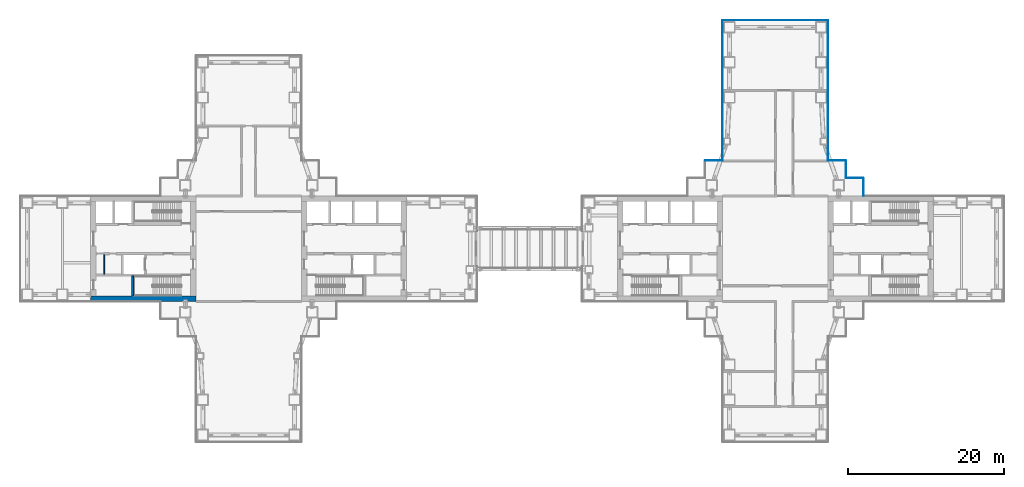
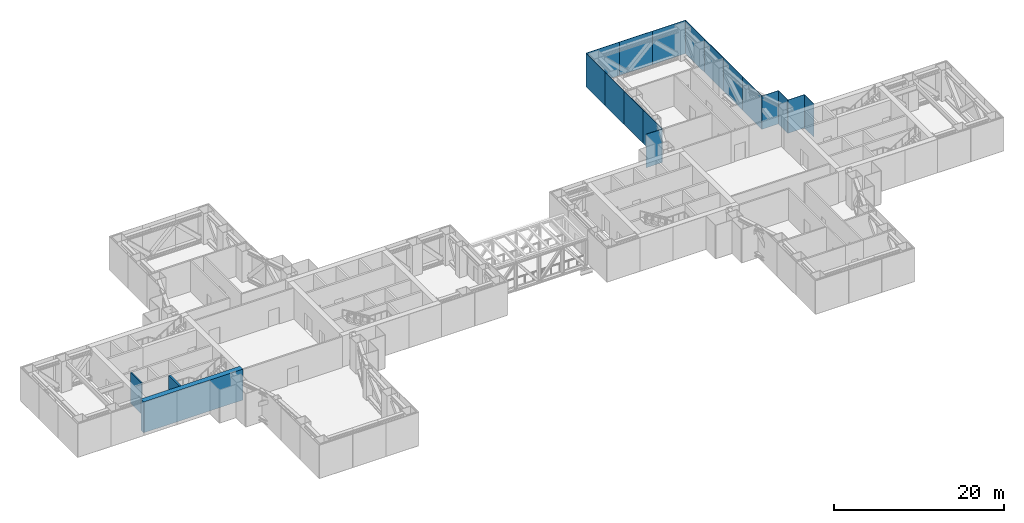
# One storey, part 10 of 23: 16 plates, 3 walls, 5 elements without a shape of their own.
"""IFC4 building model written with IfcOpenShell, lengths in metres."""

from ifc_helpers import new_model, si_unit, direction, frame, frame_2d, origin, origin_2d, place, context, subcontext, project, spatial, rectangle, extrude, material, layer, layer_set, type_object, element, aggregate, save


model = new_model("IFC4")

# Units and contexts
model_context = context("Model", 3, precision=1e-05, world=origin(), true_north=direction((0.0, 1.0)))
body_context = subcontext(model_context, "Body", "Model", "MODEL_VIEW")
ifc_project = project(units=[si_unit("LENGTHUNIT", "METRE"), si_unit("AREAUNIT", "SQUARE_METRE"), si_unit("VOLUMEUNIT", "CUBIC_METRE"), si_unit("PLANEANGLEUNIT", "RADIAN"), si_unit("MASSUNIT", "GRAM", prefix="KILO")], contexts=[model_context])

# Site, building, storey
site_placement = place(None, origin())
site = spatial("IfcSite", under=ifc_project, at=site_placement, CompositionType="ELEMENT")
building_placement = place(site_placement, origin())
building = spatial("IfcBuilding", under=site, at=building_placement, Name="Shamsa Quay Exchange Towers", CompositionType="ELEMENT")
storey_placement = place(building_placement, frame((0.0, 0.0, 77.10009765625)))
storey = spatial("IfcBuildingStorey", under=building, at=storey_placement, Name="L17", CompositionType="ELEMENT", Elevation=77.10009765625)

# Curtain wall, plates
ifc_material_1 = material(Name="Aluminium EN AW-6063 T6, black anodised", Category="aluminium")
ifc_layer_1 = layer(ifc_material_1, 0.320068359375)
ifc_layer_set_1 = layer_set([ifc_layer_1], Name="CW-7 BELT-LEVEL LOUVRE PANEL WALL")
curtain_wall_type = type_object("IfcCurtainWallType", Name="CW-7 BELT-LEVEL LOUVRE PANEL WALL", PredefinedType="NOTDEFINED", material=ifc_layer_set_1)
curtain_wall_1_placement = place(storey_placement, origin())
curtain_wall_1 = element("IfcCurtainWall", 1, at=curtain_wall_1_placement, inside=storey, type_object=curtain_wall_type, Name="CW7 T2-FLK-U+S L17", PredefinedType="NOTDEFINED")
ifc_material_2 = material(Name="Aluminium louvre panel, black anodised, with insulated fire-rated backing", Category="aluminium")
ifc_layer_2 = layer(ifc_material_2, 0.06005859375)
ifc_layer_set_2 = layer_set([ifc_layer_2], Name="CW-7 LOUVRE PANEL 60")
plate_type = type_object("IfcPlateType", Name="CW-7 LOUVRE PANEL 60", PredefinedType="CURTAIN_PANEL", material=ifc_layer_set_2)
plate_1_placement = place(storey_placement, frame((40.530029296875, 13.5517578125, -0.35009765625), z_axis=(0.0, 0.0, 1.0), x_axis=(0.0, 1.0, 0.0)))
plate_1 = element("IfcPlate", 2, at=plate_1_placement, type_object=plate_type, Name="CW7 glass panel", PredefinedType="CURTAIN_PANEL", context=body_context, shape_type="SweptSolid", body=[
    extrude(rectangle(XDim=4.4794921875, YDim=0.06005859375, at=origin_2d()), origin(), (0.0, 0.0, 1.0), 4.800048828125),
])
plate_2_placement = place(storey_placement, frame((40.530029296875, 18.038818359375, -0.35009765625), z_axis=(0.0, 0.0, 1.0), x_axis=(0.0, 1.0, 0.0)))
plate_2 = element("IfcPlate", 3, at=plate_2_placement, type_object=plate_type, Name="CW7 glass panel", PredefinedType="CURTAIN_PANEL", context=body_context, shape_type="SweptSolid", body=[
    extrude(rectangle(XDim=4.474609375, YDim=0.06005859375, at=origin_2d()), origin(), (0.0, 0.0, 1.0), 4.800048828125),
])
plate_3_placement = place(storey_placement, frame((40.530029296875, 22.523193359375, -0.35009765625), z_axis=(0.0, 0.0, 1.0), x_axis=(0.0, 1.0, 0.0)))
plate_3 = element("IfcPlate", 4, at=plate_3_placement, type_object=plate_type, Name="CW7 glass panel", PredefinedType="CURTAIN_PANEL", context=body_context, shape_type="SweptSolid", body=[
    extrude(rectangle(XDim=4.474609375, YDim=0.06005859375, at=origin_2d()), origin(), (0.0, 0.0, 1.0), 4.800048828125),
])
plate_4_placement = place(storey_placement, frame((40.530029296875, 27.01025390625, -0.35009765625), z_axis=(0.0, 0.0, 1.0), x_axis=(0.0, 1.0, 0.0)))
plate_4 = element("IfcPlate", 5, at=plate_4_placement, type_object=plate_type, Name="CW7 glass panel", PredefinedType="CURTAIN_PANEL", context=body_context, shape_type="SweptSolid", body=[
    extrude(rectangle(XDim=4.4794921875, YDim=0.06005859375, at=origin_2d()), origin(), (0.0, 0.0, 1.0), 4.800048828125),
])
aggregate(curtain_wall_1, [plate_1, plate_2, plate_3, plate_4])

curtain_wall_2_placement = place(storey_placement, origin())
curtain_wall_2 = element("IfcCurtainWall", 6, at=curtain_wall_2_placement, inside=storey, type_object=curtain_wall_type, Name="CW7 T2-END-U+ L17", PredefinedType="NOTDEFINED")
plate_5_placement = place(storey_placement, frame((38.25244140625, 29.280029296875, -0.35009765625), z_axis=(0.0, 0.0, 1.0), x_axis=(-1.0, 0.0, 0.0)))
plate_5 = element("IfcPlate", 7, at=plate_5_placement, type_object=plate_type, Name="CW7 glass panel", PredefinedType="CURTAIN_PANEL", context=body_context, shape_type="SweptSolid", body=[
    extrude(rectangle(XDim=4.4951171875, YDim=0.06005859375, at=origin_2d()), origin(), (0.0, 0.0, 1.0), 4.800048828125),
])
plate_6_placement = place(storey_placement, frame((33.75, 29.280029296875, -0.35009765625), z_axis=(0.0, 0.0, 1.0), x_axis=(-1.0, 0.0, 0.0)))
plate_6 = element("IfcPlate", 8, at=plate_6_placement, type_object=plate_type, Name="CW7 glass panel", PredefinedType="CURTAIN_PANEL", context=body_context, shape_type="SweptSolid", body=[
    extrude(rectangle(XDim=4.489990234375, YDim=0.06005859375, at=origin_2d()), origin(), (0.0, 0.0, 1.0), 4.800048828125),
])
plate_7_placement = place(storey_placement, frame((29.24755859375, 29.280029296875, -0.35009765625), z_axis=(0.0, 0.0, 1.0), x_axis=(-1.0, 0.0, 0.0)))
plate_7 = element("IfcPlate", 9, at=plate_7_placement, type_object=plate_type, Name="CW7 glass panel", PredefinedType="CURTAIN_PANEL", context=body_context, shape_type="SweptSolid", body=[
    extrude(rectangle(XDim=4.4951171875, YDim=0.06005859375, at=origin_2d()), origin(), (0.0, 0.0, 1.0), 4.800048828125),
])
aggregate(curtain_wall_2, [plate_5, plate_6, plate_7])

curtain_wall_3_placement = place(storey_placement, origin())
curtain_wall_3 = element("IfcCurtainWall", 10, at=curtain_wall_3_placement, inside=storey, type_object=curtain_wall_type, Name="CW7 T2-FLK-U+N L17", PredefinedType="NOTDEFINED")
plate_8_placement = place(storey_placement, frame((26.969970703125, 27.00244140625, -0.35009765625), z_axis=(0.0, 0.0, 1.0), x_axis=(0.0, -1.0, 0.0)))
plate_8 = element("IfcPlate", 11, at=plate_8_placement, type_object=plate_type, Name="CW7 glass panel", PredefinedType="CURTAIN_PANEL", context=body_context, shape_type="SweptSolid", body=[
    extrude(rectangle(XDim=4.4951171875, YDim=0.06005859375, at=origin_2d()), origin(), (0.0, 0.0, 1.0), 4.800048828125),
])
plate_9_placement = place(storey_placement, frame((26.969970703125, 22.5, -0.35009765625), z_axis=(0.0, 0.0, 1.0), x_axis=(0.0, -1.0, 0.0)))
plate_9 = element("IfcPlate", 12, at=plate_9_placement, type_object=plate_type, Name="CW7 glass panel", PredefinedType="CURTAIN_PANEL", context=body_context, shape_type="SweptSolid", body=[
    extrude(rectangle(XDim=4.489990234375, YDim=0.06005859375, at=origin_2d()), origin(), (0.0, 0.0, 1.0), 4.800048828125),
])
plate_10_placement = place(storey_placement, frame((26.969970703125, 18.0, -0.35009765625), z_axis=(0.0, 0.0, 1.0), x_axis=(0.0, -1.0, 0.0)))
plate_10 = element("IfcPlate", 13, at=plate_10_placement, type_object=plate_type, Name="CW7 glass panel", PredefinedType="CURTAIN_PANEL", context=body_context, shape_type="SweptSolid", body=[
    extrude(rectangle(XDim=4.489990234375, YDim=0.06005859375, at=origin_2d()), origin(), (0.0, 0.0, 1.0), 4.800048828125),
])
plate_11_placement = place(storey_placement, frame((26.969970703125, 13.49755859375, -0.35009765625), z_axis=(0.0, 0.0, 1.0), x_axis=(0.0, -1.0, 0.0)))
plate_11 = element("IfcPlate", 14, at=plate_11_placement, type_object=plate_type, Name="CW7 glass panel", PredefinedType="CURTAIN_PANEL", context=body_context, shape_type="SweptSolid", body=[
    extrude(rectangle(XDim=4.4951171875, YDim=0.06005859375, at=origin_2d()), origin(), (0.0, 0.0, 1.0), 4.800048828125),
])
aggregate(curtain_wall_3, [plate_8, plate_9, plate_10, plate_11])

curtain_wall_4_placement = place(storey_placement, origin())
curtain_wall_4 = element("IfcCurtainWall", 15, at=curtain_wall_4_placement, inside=storey, type_object=curtain_wall_type, Name="CW7 PKES L17", PredefinedType="NOTDEFINED")
plate_12_placement = place(storey_placement, frame((45.030029296875, 7.906005859375, -0.35009765625), z_axis=(0.0, 0.0, 1.0), x_axis=(0.0, 1.0, 0.0)))
plate_12 = element("IfcPlate", 16, at=plate_12_placement, type_object=plate_type, Name="CW7 glass panel", PredefinedType="CURTAIN_PANEL", context=body_context, shape_type="SweptSolid", body=[
    extrude(rectangle(XDim=2.18798828125, YDim=0.06005859375, at=origin_2d()), origin(), (0.0, 0.0, 1.0), 4.800048828125),
])
plate_13_placement = place(storey_placement, frame((43.875, 9.030029296875, -0.35009765625), z_axis=(0.0, 0.0, 1.0), x_axis=(-1.0, 0.0, 0.0)))
plate_13 = element("IfcPlate", 17, at=plate_13_placement, type_object=plate_type, Name="CW7 glass panel", PredefinedType="CURTAIN_PANEL", context=body_context, shape_type="SweptSolid", body=[
    extrude(rectangle(XDim=2.25, YDim=0.06005859375, at=origin_2d()), origin(), (0.0, 0.0, 1.0), 4.800048828125),
])
plate_14_placement = place(storey_placement, frame((42.780029296875, 10.156005859375, -0.35009765625), z_axis=(0.0, 0.0, 1.0), x_axis=(0.0, 1.0, 0.0)))
plate_14 = element("IfcPlate", 18, at=plate_14_placement, type_object=plate_type, Name="CW7 glass panel", PredefinedType="CURTAIN_PANEL", context=body_context, shape_type="SweptSolid", body=[
    extrude(rectangle(XDim=2.18798828125, YDim=0.06005859375, at=origin_2d()), origin(), (0.0, 0.0, 1.0), 4.800048828125),
])
plate_15_placement = place(storey_placement, frame((41.625, 11.280029296875, -0.35009765625), z_axis=(0.0, 0.0, 1.0), x_axis=(-1.0, 0.0, 0.0)))
plate_15 = element("IfcPlate", 19, at=plate_15_placement, type_object=plate_type, Name="CW7 glass panel", PredefinedType="CURTAIN_PANEL", context=body_context, shape_type="SweptSolid", body=[
    extrude(rectangle(XDim=2.25, YDim=0.06005859375, at=origin_2d()), origin(), (0.0, 0.0, 1.0), 4.800048828125),
])
aggregate(curtain_wall_4, [plate_12, plate_13, plate_14, plate_15])

# Curtain wall, plate
curtain_wall_5_placement = place(storey_placement, origin())
curtain_wall_5 = element("IfcCurtainWall", 20, at=curtain_wall_5_placement, inside=storey, type_object=curtain_wall_type, Name="CW7 PKEN L17", PredefinedType="NOTDEFINED")
plate_16_placement = place(storey_placement, frame((25.843994140625, 11.280029296875, -0.35009765625), z_axis=(0.0, 0.0, 1.0), x_axis=(-1.0, 0.0, 0.0)))
plate_16 = element("IfcPlate", 21, at=plate_16_placement, type_object=plate_type, Name="CW7 glass panel", PredefinedType="CURTAIN_PANEL", context=body_context, shape_type="SweptSolid", body=[
    extrude(rectangle(XDim=2.18798828125, YDim=0.06005859375, at=origin_2d()), origin(), (0.0, 0.0, 1.0), 4.800048828125),
])
aggregate(curtain_wall_5, [plate_16])

# Walls
ifc_material_3 = material(Name="Concrete C80/95", Category="concrete")
ifc_layer_3 = layer(ifc_material_3, 0.699951171875)
ifc_layer_set_3 = layer_set([ifc_layer_3], Name="CORE WALL 700 C80/95")
wall_type_1 = type_object("IfcWallType", Name="CORE WALL 700 C80/95", PredefinedType="SHEAR", material=ifc_layer_set_3)
wall_1_placement = place(storey_placement, frame((-40.5, -6.39990234375, 0.0), z_axis=(0.0, 0.0, 1.0), x_axis=(-1.0, 0.0, 0.0)))
element("IfcWall", 22, at=wall_1_placement, inside=storey, type_object=wall_type_1, Name="Core wall T1B-L17-PS", PredefinedType="SHEAR", context=body_context, shape_type="SweptSolid", body=[
    extrude(rectangle(XDim=13.5, YDim=0.699951171875, at=frame_2d((6.75, 0.0))), origin(), (0.0, 0.0, 1.0), 4.449951171875),
])
ifc_material_4 = material(Name="Gypsum board on steel studs, EI 60", Category="steel")
ifc_layer_4 = layer(ifc_material_4, 0.14990234375)
ifc_layer_set_4 = layer_set([ifc_layer_4], Name="FIRE PARTITION 150")
wall_type_2 = type_object("IfcWallType", Name="FIRE PARTITION 150", PredefinedType="PARTITIONING", material=ifc_layer_set_4)
wall_2_placement = place(storey_placement, frame((-52.25, -3.25, 0.0), z_axis=(0.0, 0.0, 1.0), x_axis=(0.0, 1.0, 0.0)))
element("IfcWall", 23, at=wall_2_placement, inside=storey, type_object=wall_type_2, Name="Partition T1B-L17-EC0", PredefinedType="PARTITIONING", context=body_context, shape_type="SweptSolid", body=[
    extrude(rectangle(XDim=2.5, YDim=0.14990234375, at=frame_2d((1.25, 0.0))), origin(), (0.0, 0.0, 1.0), 4.449951171875),
])
ifc_material_5 = material(Name="Concrete C50/60", Category="concrete")
ifc_layer_5 = layer(ifc_material_5, 0.25)
ifc_layer_set_5 = layer_set([ifc_layer_5], Name="SHAFT WALL 250 C50/60")
wall_type_3 = type_object("IfcWallType", Name="SHAFT WALL 250 C50/60", PredefinedType="SHEAR", material=ifc_layer_set_5)
wall_3_placement = place(storey_placement, frame((-48.625, -6.050048828125, 0.0), z_axis=(0.0, 0.0, 1.0), x_axis=(0.0, 1.0, 0.0)))
element("IfcWall", 24, at=wall_3_placement, inside=storey, type_object=wall_type_3, Name="Shaft wall T1B-L17-STF", PredefinedType="SHEAR", context=body_context, shape_type="SweptSolid", body=[
    extrude(rectangle(XDim=2.550048828125, YDim=0.25, at=frame_2d((1.27490234375, 0.0))), origin(), (0.0, 0.0, 1.0), 4.449951171875),
])

save(model, "model.ifc")
